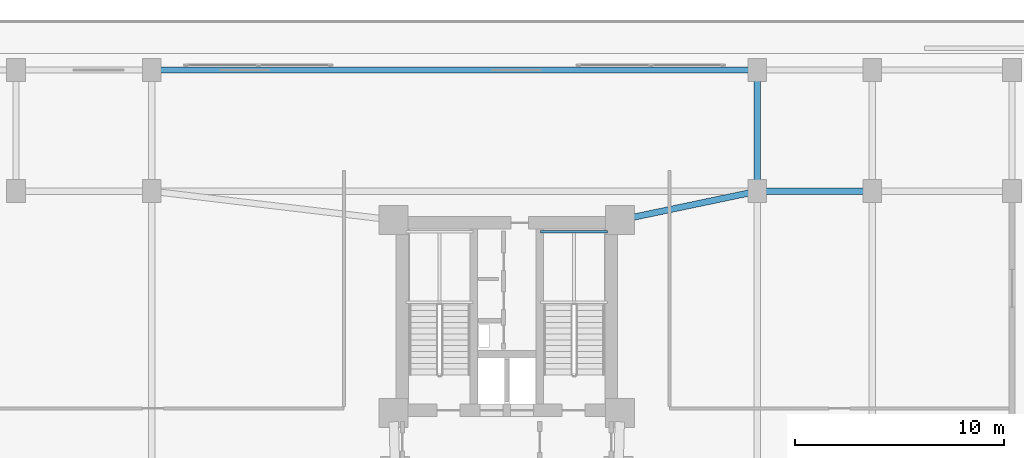
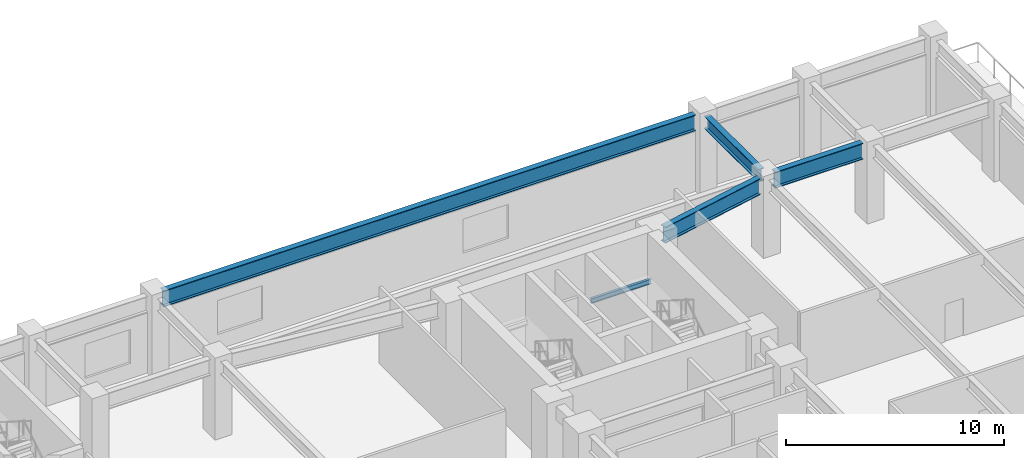
# One storey, part 3 of 9: 5 beams.
"""IFC4 building model written with IfcOpenShell, lengths in metres."""

from ifc_helpers import new_model, si_unit, direction, frame, origin, origin_2d, place, context, subcontext, project, spatial, i_section, extrude, material, material_profile, profile_set, type_object, element, save


model = new_model("IFC4")

# Units and contexts
model_context = context("Model", 3, precision=1e-05, world=origin(), true_north=direction((0.0, 1.0)))
body_context = subcontext(model_context, "Body", "Model", "MODEL_VIEW")
ifc_project = project(units=[si_unit("LENGTHUNIT", "METRE"), si_unit("AREAUNIT", "SQUARE_METRE"), si_unit("VOLUMEUNIT", "CUBIC_METRE"), si_unit("PLANEANGLEUNIT", "RADIAN"), si_unit("MASSUNIT", "GRAM", prefix="KILO")], contexts=[model_context])

# Site, building, storey
site_placement = place(None, origin())
site = spatial("IfcSite", under=ifc_project, at=site_placement, CompositionType="ELEMENT")
building_placement = place(site_placement, origin())
building = spatial("IfcBuilding", under=site, at=building_placement, Name="Varnakorn Sky Granary", CompositionType="ELEMENT")
storey_placement = place(building_placement, frame((0.0, 0.0, 18.39990234375)))
storey = spatial("IfcBuildingStorey", under=building, at=storey_placement, Name="L04", CompositionType="ELEMENT", Elevation=18.39990234375)

# Beams
ifc_material = material(Name="Steel S355JR", Category="steel")
ifc_material_profile_1 = material_profile(ifc_material, i_section(OverallWidth=0.135009765625, OverallDepth=0.27001953125, WebThickness=0.006591796875, FlangeThickness=0.01025390625, at=origin_2d()), Name="IPE 270")
ifc_profile_set_1 = profile_set([ifc_material_profile_1], Name="Steel S355JR")
beam_type_1 = type_object("IfcBeamType", Name="BM-LND-270", PredefinedType="BEAM", material=ifc_profile_set_1)
beam_1_placement = place(storey_placement, frame((4.6201171875, 12.06005859375, 1.965087890625), z_axis=(1.0, 0.0, 0.0), x_axis=(0.0, 1.0, 0.0)))
element("IfcBeam", 1, at=beam_1_placement, inside=storey, type_object=beam_type_1, Name="Stair ST-2 Landing Trimmer Beam B L04-1", PredefinedType="BEAM", context=body_context, shape_type="SweptSolid", body=[
    extrude(i_section(OverallWidth=0.135009765625, OverallDepth=0.27001953125, WebThickness=0.006591796875, FlangeThickness=0.01025390625, at=origin_2d()), origin(), (0.0, 0.0, 1.0), 3.199951171875),
])
ifc_material_profile_2 = material_profile(ifc_material, i_section(OverallWidth=0.300048828125, OverallDepth=0.699951171875, WebThickness=0.01708984375, FlangeThickness=0.031982421875, at=origin_2d()), Name="HE 700 B")
ifc_profile_set_2 = profile_set([ifc_material_profile_2], Name="Steel S355JR")
beam_type_2 = type_object("IfcBeamType", Name="BM-PG-700", PredefinedType="T_BEAM", material=ifc_profile_set_2)
beam_2_placement = place(storey_placement, frame((15.0, 14.419921875, 3.93017578125), z_axis=(0.0, 1.0, 0.0), x_axis=(-1.0, 0.0, 0.0)))
element("IfcBeam", 2, at=beam_2_placement, inside=storey, type_object=beam_type_2, Name="Podium Y-Girder GY25 L04", PredefinedType="T_BEAM", context=body_context, shape_type="SweptSolid", body=[
    extrude(i_section(OverallWidth=0.300048828125, OverallDepth=0.699951171875, WebThickness=0.01708984375, FlangeThickness=0.031982421875, at=origin_2d()), origin(), (0.0, 0.0, 1.0), 4.9599609375),
])
ifc_material_profile_3 = material_profile(ifc_material, i_section(OverallWidth=0.300048828125, OverallDepth=0.89990234375, WebThickness=0.0185546875, FlangeThickness=0.034912109375, at=origin_2d()), Name="HE 900 B")
ifc_profile_set_3 = profile_set([ifc_material_profile_3], Name="Steel S355JR")
beam_type_3 = type_object("IfcBeamType", Name="BM-PG-900", PredefinedType="BEAM", material=ifc_profile_set_3)
beam_3_placement = place(storey_placement, frame((15.419921875, 14.0, 3.830078125), z_axis=(1.0, 0.0, 0.0), x_axis=(0.0, 1.0, 0.0)))
element("IfcBeam", 3, at=beam_3_placement, inside=storey, type_object=beam_type_3, Name="Podium X-Girder GX11 L04", PredefinedType="BEAM", context=body_context, shape_type="SweptSolid", body=[
    extrude(i_section(OverallWidth=0.300048828125, OverallDepth=0.89990234375, WebThickness=0.0185546875, FlangeThickness=0.034912109375, at=origin_2d()), origin(), (0.0, 0.0, 1.0), 4.66015625),
])
beam_4_placement = place(storey_placement, frame((-13.580078125, 19.800048828125, 3.830078125), z_axis=(1.0, 0.0, 0.0), x_axis=(0.0, 1.0, 0.0)))
element("IfcBeam", 4, at=beam_4_placement, inside=storey, type_object=beam_type_3, Name="Podium X-Girder GX15 L04", PredefinedType="BEAM", context=body_context, shape_type="SweptSolid", body=[
    extrude(i_section(OverallWidth=0.300048828125, OverallDepth=0.89990234375, WebThickness=0.0185546875, FlangeThickness=0.034912109375, at=origin_2d()), origin(), (0.0, 0.0, 1.0), 28.16015625),
])
beam_5_placement = place(storey_placement, frame((14.5888671875, 13.913818359375, 3.830078125), z_axis=(-0.978708882908, -0.205253313045, 0.0), x_axis=(0.205253313045, -0.978708882908, 0.0)))
element("IfcBeam", 5, at=beam_5_placement, inside=storey, type_object=beam_type_3, Name="Podium Core Tie Girder 3 L04", PredefinedType="BEAM", context=body_context, shape_type="SweptSolid", body=[
    extrude(i_section(OverallWidth=0.300048828125, OverallDepth=0.89990234375, WebThickness=0.0185546875, FlangeThickness=0.034912109375, at=origin_2d()), origin(), (0.0, 0.0, 1.0), 5.883056640625),
])

save(model, "model.ifc")
